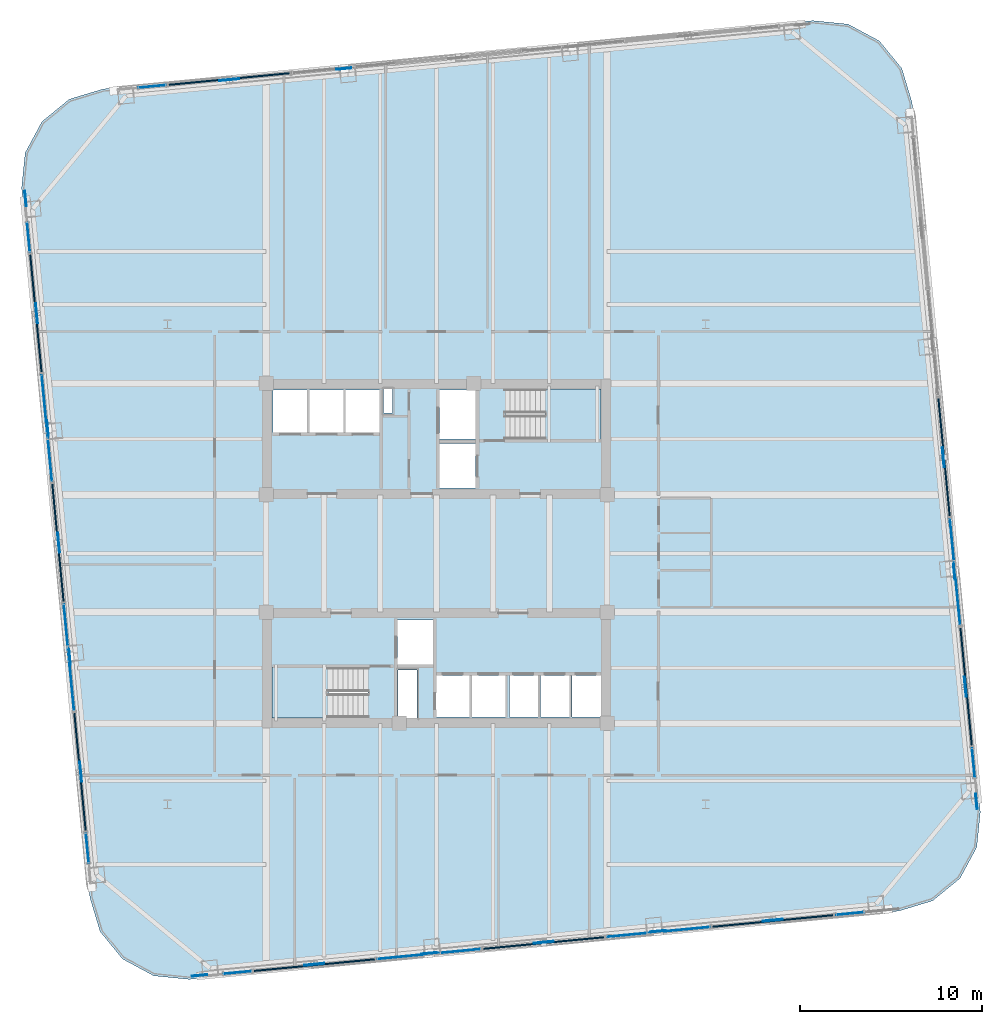
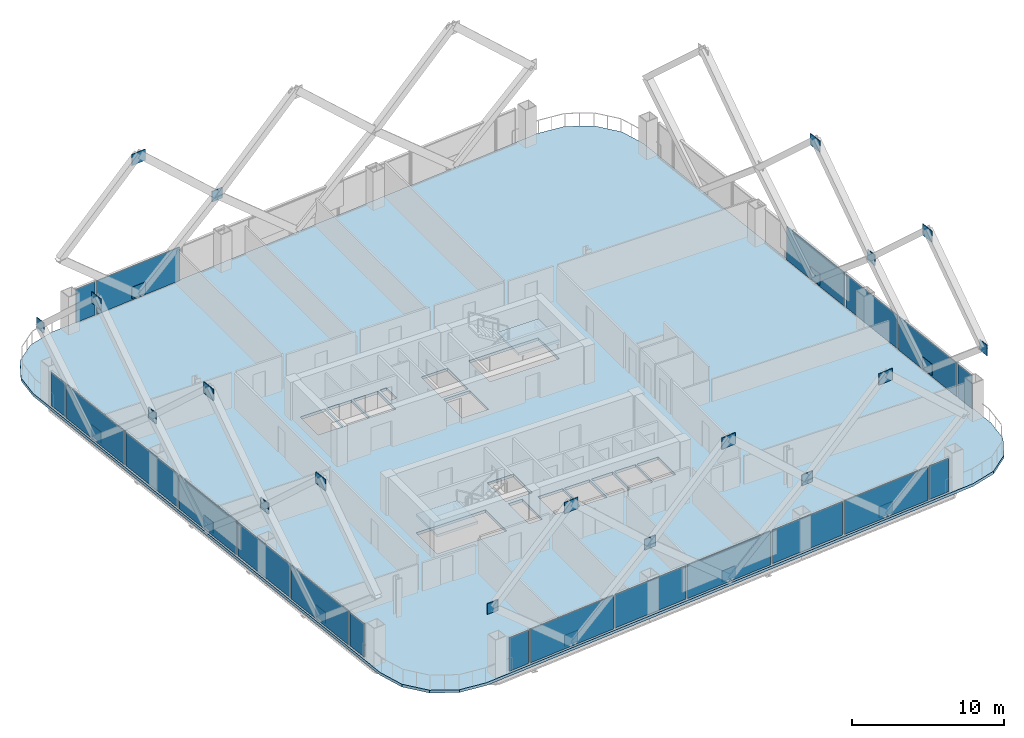
# One storey, part 26 of 32: 47 plates, 3 slabs, 22 elements without a shape of their own.
"""IFC4 building model written with IfcOpenShell, lengths in metres."""

from ifc_helpers import new_model, si_unit, direction, frame, origin, origin_2d, place, context, subcontext, project, spatial, polyline, rectangle, outline, extrude, material, layer, layer_set, type_object, element, aggregate, save


model = new_model("IFC4")

# Units and contexts
model_context = context("Model", 3, precision=1e-05, world=origin(), true_north=direction((0.0, 1.0)))
body_context = subcontext(model_context, "Body", "Model", "MODEL_VIEW")
ifc_project = project(units=[si_unit("LENGTHUNIT", "METRE"), si_unit("AREAUNIT", "SQUARE_METRE"), si_unit("VOLUMEUNIT", "CUBIC_METRE"), si_unit("PLANEANGLEUNIT", "RADIAN"), si_unit("MASSUNIT", "GRAM", prefix="KILO")], contexts=[model_context])

# Site, building, storey
site_placement = place(None, origin())
site = spatial("IfcSite", under=ifc_project, at=site_placement, CompositionType="ELEMENT")
building_placement = place(site_placement, origin())
building = spatial("IfcBuilding", under=site, at=building_placement, Name="Qhalaya Broadcast Tower", CompositionType="ELEMENT")
storey_placement = place(building_placement, frame((0.0, 0.0, 81.64990234375)))
storey = spatial("IfcBuildingStorey", under=building, at=storey_placement, Name="L23", CompositionType="ELEMENT", Elevation=81.64990234375)

# Plates
ifc_material_1 = material(Name="Structural Steel ASTM A572 Grade 50", Category="steel")
ifc_layer_1 = layer(ifc_material_1, 0.054931640625, Name="Structural Steel ASTM A572 Grade 50")
ifc_layer_set_1 = layer_set([ifc_layer_1], Name="Structural Steel ASTM A572 Grade 50")
plate_type_1 = type_object("IfcPlateType", Name="Exoskeleton Diamond Node Gusset Plate NP-01", PredefinedType="USERDEFINED", material=ifc_layer_set_1)
for number, where, z_axis, x_axis, name in (
    (1, (-6.725830078125, -22.00146484375, 0.210205078125), (0.0, 0.0, 1.0), (0.995396198367, 0.09584575252, 0.0), "Exoskeleton Diamond Node B2-S1-BOT"),
    (2, (-6.725830078125, -22.00146484375, 10.85009765625), (0.0, 0.0, 1.0), (0.995396198367, 0.09584575252, 0.0), "Exoskeleton Diamond Node B2-S1-TOP"),
):
    element("IfcPlate", number, at=place(storey_placement, frame(where, z_axis=z_axis, x_axis=x_axis)), inside=storey, type_object=plate_type_1, Name=name, ObjectType="GUSSET_PLATE", PredefinedType="USERDEFINED", context=body_context, shape_type="SweptSolid", body=[
        extrude(rectangle(XDim=1.10009765625, YDim=0.054931640625, at=origin_2d()), origin(), (0.0, 0.0, 1.0), 0.89990234375),
    ])
plate_1_placement = place(storey_placement, frame((-13.030029296875, -22.608642578125, 5.31494140625), z_axis=(0.0, 0.0, 1.0), x_axis=(0.995396198367, 0.09584575252, 0.0)))
element("IfcPlate", 3, at=plate_1_placement, inside=storey, type_object=plate_type_1, Name="Exoskeleton Diamond Node B2-S1-MDL", ObjectType="GUSSET_PLATE", PredefinedType="USERDEFINED", context=body_context, shape_type="SweptSolid", body=[
    extrude(rectangle(XDim=0.85009765625, YDim=0.054931640625, at=origin_2d()), origin(), (0.0, 0.0, 1.0), 0.85009765625),
])
for number, where, z_axis, x_axis, name in (
    (4, (5.882568359375, -20.78759765625, 0.210205078125), (0.0, 0.0, 1.0), (0.995396198367, 0.09584575252, 0.0), "Exoskeleton Diamond Node B2-S2-BOT"),
    (5, (5.882568359375, -20.78759765625, 10.85009765625), (0.0, 0.0, 1.0), (0.995396198367, 0.09584575252, 0.0), "Exoskeleton Diamond Node B2-S2-TOP"),
):
    element("IfcPlate", number, at=place(storey_placement, frame(where, z_axis=z_axis, x_axis=x_axis)), inside=storey, type_object=plate_type_1, Name=name, ObjectType="GUSSET_PLATE", PredefinedType="USERDEFINED", context=body_context, shape_type="SweptSolid", body=[
        extrude(rectangle(XDim=1.10009765625, YDim=0.054931640625, at=origin_2d()), origin(), (0.0, 0.0, 1.0), 0.89990234375),
    ])
plate_2_placement = place(storey_placement, frame((-0.421630859375, -21.39453125, 5.31494140625), z_axis=(0.0, 0.0, 1.0), x_axis=(0.995396198367, 0.09584575252, 0.0)))
element("IfcPlate", 6, at=plate_2_placement, inside=storey, type_object=plate_type_1, Name="Exoskeleton Diamond Node B2-S2-MDL", ObjectType="GUSSET_PLATE", PredefinedType="USERDEFINED", context=body_context, shape_type="SweptSolid", body=[
    extrude(rectangle(XDim=0.85009765625, YDim=0.054931640625, at=origin_2d()), origin(), (0.0, 0.0, 1.0), 0.85009765625),
])
for number, where, z_axis, x_axis, name in (
    (7, (18.49072265625, -19.573486328125, 0.210205078125), (0.0, 0.0, 1.0), (0.995396198367, 0.09584575252, 0.0), "Exoskeleton Diamond Node B2-S3-BOT"),
    (8, (18.49072265625, -19.573486328125, 10.85009765625), (0.0, 0.0, 1.0), (0.995396198367, 0.09584575252, 0.0), "Exoskeleton Diamond Node B2-S3-TOP"),
):
    element("IfcPlate", number, at=place(storey_placement, frame(where, z_axis=z_axis, x_axis=x_axis)), inside=storey, type_object=plate_type_1, Name=name, ObjectType="GUSSET_PLATE", PredefinedType="USERDEFINED", context=body_context, shape_type="SweptSolid", body=[
        extrude(rectangle(XDim=1.10009765625, YDim=0.054931640625, at=origin_2d()), origin(), (0.0, 0.0, 1.0), 0.89990234375),
    ])
plate_3_placement = place(storey_placement, frame((12.1865234375, -20.180419921875, 5.31494140625), z_axis=(0.0, 0.0, 1.0), x_axis=(0.995396198367, 0.09584575252, 0.0)))
element("IfcPlate", 9, at=plate_3_placement, inside=storey, type_object=plate_type_1, Name="Exoskeleton Diamond Node B2-S3-MDL", ObjectType="GUSSET_PLATE", PredefinedType="USERDEFINED", context=body_context, shape_type="SweptSolid", body=[
    extrude(rectangle(XDim=0.85009765625, YDim=0.054931640625, at=origin_2d()), origin(), (0.0, 0.0, 1.0), 0.85009765625),
])
for number, where, z_axis, x_axis, name in (
    (10, (29.08154296875, -6.725830078125, 0.210205078125), (0.0, 0.0, 1.0), (-0.09584575252, 0.995396198367, 0.0), "Exoskeleton Diamond Node B2-E1-BOT"),
    (11, (29.08154296875, -6.725830078125, 10.85009765625), (0.0, 0.0, 1.0), (-0.09584575252, 0.995396198367, 0.0), "Exoskeleton Diamond Node B2-E1-TOP"),
):
    element("IfcPlate", number, at=place(storey_placement, frame(where, z_axis=z_axis, x_axis=x_axis)), inside=storey, type_object=plate_type_1, Name=name, ObjectType="GUSSET_PLATE", PredefinedType="USERDEFINED", context=body_context, shape_type="SweptSolid", body=[
        extrude(rectangle(XDim=1.10009765625, YDim=0.054931640625, at=origin_2d()), origin(), (0.0, 0.0, 1.0), 0.89990234375),
    ])
plate_4_placement = place(storey_placement, frame((29.688720703125, -13.030029296875, 5.31494140625), z_axis=(0.0, 0.0, 1.0), x_axis=(-0.09584575252, 0.995396198367, 0.0)))
element("IfcPlate", 12, at=plate_4_placement, inside=storey, type_object=plate_type_1, Name="Exoskeleton Diamond Node B2-E1-MDL", ObjectType="GUSSET_PLATE", PredefinedType="USERDEFINED", context=body_context, shape_type="SweptSolid", body=[
    extrude(rectangle(XDim=0.85009765625, YDim=0.054931640625, at=origin_2d()), origin(), (0.0, 0.0, 1.0), 0.85009765625),
])
for number, where, z_axis, x_axis, name in (
    (13, (27.867431640625, 5.882568359375, 0.210205078125), (0.0, 0.0, 1.0), (-0.09584575252, 0.995396198367, 0.0), "Exoskeleton Diamond Node B2-E2-BOT"),
    (14, (27.867431640625, 5.882568359375, 10.85009765625), (0.0, 0.0, 1.0), (-0.09584575252, 0.995396198367, 0.0), "Exoskeleton Diamond Node B2-E2-TOP"),
):
    element("IfcPlate", number, at=place(storey_placement, frame(where, z_axis=z_axis, x_axis=x_axis)), inside=storey, type_object=plate_type_1, Name=name, ObjectType="GUSSET_PLATE", PredefinedType="USERDEFINED", context=body_context, shape_type="SweptSolid", body=[
        extrude(rectangle(XDim=1.10009765625, YDim=0.054931640625, at=origin_2d()), origin(), (0.0, 0.0, 1.0), 0.89990234375),
    ])
plate_5_placement = place(storey_placement, frame((28.474609375, -0.421630859375, 5.31494140625), z_axis=(0.0, 0.0, 1.0), x_axis=(-0.09584575252, 0.995396198367, 0.0)))
element("IfcPlate", 15, at=plate_5_placement, inside=storey, type_object=plate_type_1, Name="Exoskeleton Diamond Node B2-E2-MDL", ObjectType="GUSSET_PLATE", PredefinedType="USERDEFINED", context=body_context, shape_type="SweptSolid", body=[
    extrude(rectangle(XDim=0.85009765625, YDim=0.054931640625, at=origin_2d()), origin(), (0.0, 0.0, 1.0), 0.85009765625),
])
for number, where, z_axis, x_axis, name in (
    (16, (-11.410888671875, 26.6533203125, 0.210205078125), (0.0, 0.0, 1.0), (0.995396198367, 0.09584575252, 0.0), "Exoskeleton Diamond Node B2-N3-BOT"),
    (17, (-11.410888671875, 26.6533203125, 10.85009765625), (0.0, 0.0, 1.0), (0.995396198367, 0.09584575252, 0.0), "Exoskeleton Diamond Node B2-N3-TOP"),
):
    element("IfcPlate", number, at=place(storey_placement, frame(where, z_axis=z_axis, x_axis=x_axis)), inside=storey, type_object=plate_type_1, Name=name, ObjectType="GUSSET_PLATE", PredefinedType="USERDEFINED", context=body_context, shape_type="SweptSolid", body=[
        extrude(rectangle(XDim=1.10009765625, YDim=0.054931640625, at=origin_2d()), origin(), (0.0, 0.0, 1.0), 0.89990234375),
    ])
plate_6_placement = place(storey_placement, frame((-5.106689453125, 27.260498046875, 5.31494140625), z_axis=(0.0, 0.0, 1.0), x_axis=(0.995396198367, 0.09584575252, 0.0)))
element("IfcPlate", 18, at=plate_6_placement, inside=storey, type_object=plate_type_1, Name="Exoskeleton Diamond Node B2-N3-MDL", ObjectType="GUSSET_PLATE", PredefinedType="USERDEFINED", context=body_context, shape_type="SweptSolid", body=[
    extrude(rectangle(XDim=0.85009765625, YDim=0.054931640625, at=origin_2d()), origin(), (0.0, 0.0, 1.0), 0.85009765625),
])
for number, where, z_axis, x_axis, name in (
    (19, (-22.00146484375, 13.805908203125, 0.210205078125), (0.0, 0.0, 1.0), (-0.09584575252, 0.995396198367, 0.0), "Exoskeleton Diamond Node B2-W1-BOT"),
    (20, (-22.00146484375, 13.805908203125, 10.85009765625), (0.0, 0.0, 1.0), (-0.09584575252, 0.995396198367, 0.0), "Exoskeleton Diamond Node B2-W1-TOP"),
):
    element("IfcPlate", number, at=place(storey_placement, frame(where, z_axis=z_axis, x_axis=x_axis)), inside=storey, type_object=plate_type_1, Name=name, ObjectType="GUSSET_PLATE", PredefinedType="USERDEFINED", context=body_context, shape_type="SweptSolid", body=[
        extrude(rectangle(XDim=1.10009765625, YDim=0.054931640625, at=origin_2d()), origin(), (0.0, 0.0, 1.0), 0.89990234375),
    ])
plate_7_placement = place(storey_placement, frame((-22.608642578125, 20.110107421875, 5.31494140625), z_axis=(0.0, 0.0, 1.0), x_axis=(-0.09584575252, 0.995396198367, 0.0)))
element("IfcPlate", 21, at=plate_7_placement, inside=storey, type_object=plate_type_1, Name="Exoskeleton Diamond Node B2-W1-MDL", ObjectType="GUSSET_PLATE", PredefinedType="USERDEFINED", context=body_context, shape_type="SweptSolid", body=[
    extrude(rectangle(XDim=0.85009765625, YDim=0.054931640625, at=origin_2d()), origin(), (0.0, 0.0, 1.0), 0.85009765625),
])
for number, where, z_axis, x_axis, name in (
    (22, (-20.78759765625, 1.197509765625, 0.210205078125), (0.0, 0.0, 1.0), (-0.09584575252, 0.995396198367, 0.0), "Exoskeleton Diamond Node B2-W2-BOT"),
    (23, (-20.78759765625, 1.197509765625, 10.85009765625), (0.0, 0.0, 1.0), (-0.09584575252, 0.995396198367, 0.0), "Exoskeleton Diamond Node B2-W2-TOP"),
):
    element("IfcPlate", number, at=place(storey_placement, frame(where, z_axis=z_axis, x_axis=x_axis)), inside=storey, type_object=plate_type_1, Name=name, ObjectType="GUSSET_PLATE", PredefinedType="USERDEFINED", context=body_context, shape_type="SweptSolid", body=[
        extrude(rectangle(XDim=1.10009765625, YDim=0.054931640625, at=origin_2d()), origin(), (0.0, 0.0, 1.0), 0.89990234375),
    ])
plate_8_placement = place(storey_placement, frame((-21.39453125, 7.501708984375, 5.31494140625), z_axis=(0.0, 0.0, 1.0), x_axis=(-0.09584575252, 0.995396198367, 0.0)))
element("IfcPlate", 24, at=plate_8_placement, inside=storey, type_object=plate_type_1, Name="Exoskeleton Diamond Node B2-W2-MDL", ObjectType="GUSSET_PLATE", PredefinedType="USERDEFINED", context=body_context, shape_type="SweptSolid", body=[
    extrude(rectangle(XDim=0.85009765625, YDim=0.054931640625, at=origin_2d()), origin(), (0.0, 0.0, 1.0), 0.85009765625),
])
for number, where, z_axis, x_axis, name in (
    (25, (-19.573486328125, -11.410888671875, 0.210205078125), (0.0, 0.0, 1.0), (-0.09584575252, 0.995396198367, 0.0), "Exoskeleton Diamond Node B2-W3-BOT"),
    (26, (-19.573486328125, -11.410888671875, 10.85009765625), (0.0, 0.0, 1.0), (-0.09584575252, 0.995396198367, 0.0), "Exoskeleton Diamond Node B2-W3-TOP"),
):
    element("IfcPlate", number, at=place(storey_placement, frame(where, z_axis=z_axis, x_axis=x_axis)), inside=storey, type_object=plate_type_1, Name=name, ObjectType="GUSSET_PLATE", PredefinedType="USERDEFINED", context=body_context, shape_type="SweptSolid", body=[
        extrude(rectangle(XDim=1.10009765625, YDim=0.054931640625, at=origin_2d()), origin(), (0.0, 0.0, 1.0), 0.89990234375),
    ])
plate_9_placement = place(storey_placement, frame((-20.180419921875, -5.106689453125, 5.31494140625), z_axis=(0.0, 0.0, 1.0), x_axis=(-0.09584575252, 0.995396198367, 0.0)))
element("IfcPlate", 27, at=plate_9_placement, inside=storey, type_object=plate_type_1, Name="Exoskeleton Diamond Node B2-W3-MDL", ObjectType="GUSSET_PLATE", PredefinedType="USERDEFINED", context=body_context, shape_type="SweptSolid", body=[
    extrude(rectangle(XDim=0.85009765625, YDim=0.054931640625, at=origin_2d()), origin(), (0.0, 0.0, 1.0), 0.85009765625),
])

# Curtain wall, plate
ifc_material_2 = material(Name="Fired Architectural Terracotta", Category="masonry")
ifc_layer_2 = layer(ifc_material_2, 0.219970703125, Name="Fired Architectural Terracotta")
ifc_layer_set_2 = layer_set([ifc_layer_2], Name="Fired Architectural Terracotta")
curtain_wall_type_1 = type_object("IfcCurtainWallType", Name="Block-Cap Unitised Terracotta Spandrel Wall CW-07", PredefinedType="NOTDEFINED", material=ifc_layer_set_2)
curtain_wall_1_placement = place(storey_placement, origin())
curtain_wall_1 = element("IfcCurtainWall", 28, at=curtain_wall_1_placement, inside=storey, type_object=curtain_wall_type_1, Name="L23 Unitised Curtain Wall L23-CW-S2", PredefinedType="NOTDEFINED")
ifc_layer_3 = layer(ifc_material_2, 0.080078125, Name="Fired Architectural Terracotta")
ifc_layer_set_3 = layer_set([ifc_layer_3], Name="Fired Architectural Terracotta")
plate_type_2 = type_object("IfcPlateType", Name="Insulated Terracotta Spandrel Panel TSP-07", PredefinedType="CURTAIN_PANEL", material=ifc_layer_set_3)
plate_10_placement = place(storey_placement, frame((-6.721923828125, -22.041259765625, 0.0751953125), z_axis=(0.0, 0.0, 1.0), x_axis=(0.995395819861, 0.095849683373, 0.0)))
plate_10 = element("IfcPlate", 29, at=plate_10_placement, type_object=plate_type_2, Name="CW-07 panel 1.1", PredefinedType="CURTAIN_PANEL", context=body_context, shape_type="SweptSolid", body=[
    extrude(rectangle(XDim=6.693115234375, YDim=0.080078125, at=origin_2d()), origin(), (0.0, 0.0, 1.0), 2.679931640625),
])
aggregate(curtain_wall_1, [plate_10])

curtain_wall_2_placement = place(storey_placement, origin())
curtain_wall_2 = element("IfcCurtainWall", 30, at=curtain_wall_2_placement, inside=storey, type_object=curtain_wall_type_1, Name="L23 Unitised Curtain Wall L23-CW-S4", PredefinedType="NOTDEFINED")
plate_11_placement = place(storey_placement, frame((5.88623046875, -20.827392578125, 0.0751953125), z_axis=(0.0, 0.0, 1.0), x_axis=(0.995395768185, 0.095850220023, 0.0)))
plate_11 = element("IfcPlate", 31, at=plate_11_placement, type_object=plate_type_2, Name="CW-07 panel 1.1", PredefinedType="CURTAIN_PANEL", context=body_context, shape_type="SweptSolid", body=[
    extrude(rectangle(XDim=6.694091796875, YDim=0.080078125, at=origin_2d()), origin(), (0.0, 0.0, 1.0), 2.679931640625),
])
aggregate(curtain_wall_2, [plate_11])

curtain_wall_3_placement = place(storey_placement, origin())
curtain_wall_3 = element("IfcCurtainWall", 32, at=curtain_wall_3_placement, inside=storey, type_object=curtain_wall_type_1, Name="L23 Unitised Curtain Wall L23-CW-S6", PredefinedType="NOTDEFINED")
plate_12_placement = place(storey_placement, frame((18.494384765625, -19.61328125, 0.0751953125), z_axis=(0.0, 0.0, 1.0), x_axis=(0.995395819861, 0.095849683373, 0.0)))
plate_12 = element("IfcPlate", 33, at=plate_12_placement, type_object=plate_type_2, Name="CW-07 panel 1.1", PredefinedType="CURTAIN_PANEL", context=body_context, shape_type="SweptSolid", body=[
    extrude(rectangle(XDim=6.693115234375, YDim=0.080078125, at=origin_2d()), origin(), (0.0, 0.0, 1.0), 2.679931640625),
])
aggregate(curtain_wall_3, [plate_12])

curtain_wall_4_placement = place(storey_placement, origin())
curtain_wall_4 = element("IfcCurtainWall", 34, at=curtain_wall_4_placement, inside=storey, type_object=curtain_wall_type_1, Name="L23 Unitised Curtain Wall L23-CW-E2", PredefinedType="NOTDEFINED")
plate_13_placement = place(storey_placement, frame((29.121337890625, -6.721923828125, 0.0751953125), z_axis=(0.0, 0.0, 1.0), x_axis=(-0.095856535899, 0.995395159987, 0.0)))
plate_13 = element("IfcPlate", 35, at=plate_13_placement, type_object=plate_type_2, Name="CW-07 panel 1.1", PredefinedType="CURTAIN_PANEL", context=body_context, shape_type="SweptSolid", body=[
    extrude(rectangle(XDim=6.51318359375, YDim=0.080078125, at=origin_2d()), origin(), (0.0, 0.0, 1.0), 2.679931640625),
])
aggregate(curtain_wall_4, [plate_13])

curtain_wall_5_placement = place(storey_placement, origin())
curtain_wall_5 = element("IfcCurtainWall", 36, at=curtain_wall_5_placement, inside=storey, type_object=curtain_wall_type_1, Name="L23 Unitised Curtain Wall L23-CW-E4", PredefinedType="NOTDEFINED")
plate_14_placement = place(storey_placement, frame((27.9072265625, 5.88623046875, 0.0751953125), z_axis=(0.0, 0.0, 1.0), x_axis=(-0.095857417835, 0.995395075056, 0.0)))
plate_14 = element("IfcPlate", 37, at=plate_14_placement, type_object=plate_type_2, Name="CW-07 panel 1.1", PredefinedType="CURTAIN_PANEL", context=body_context, shape_type="SweptSolid", body=[
    extrude(rectangle(XDim=6.511962890625, YDim=0.080078125, at=origin_2d()), origin(), (0.0, 0.0, 1.0), 2.679931640625),
])
aggregate(curtain_wall_5, [plate_14])

curtain_wall_6_placement = place(storey_placement, origin())
curtain_wall_6 = element("IfcCurtainWall", 38, at=curtain_wall_6_placement, inside=storey, type_object=curtain_wall_type_1, Name="L23 Unitised Curtain Wall L23-CW-N6", PredefinedType="NOTDEFINED")
plate_15_placement = place(storey_placement, frame((-11.41455078125, 26.693359375, 0.0751953125), z_axis=(0.0, 0.0, 1.0), x_axis=(-0.995395819861, -0.095849683373, 0.0)))
plate_15 = element("IfcPlate", 39, at=plate_15_placement, type_object=plate_type_2, Name="CW-07 panel 1.1", PredefinedType="CURTAIN_PANEL", context=body_context, shape_type="SweptSolid", body=[
    extrude(rectangle(XDim=6.693115234375, YDim=0.080078125, at=origin_2d()), origin(), (0.0, 0.0, 1.0), 2.679931640625),
])
aggregate(curtain_wall_6, [plate_15])

curtain_wall_7_placement = place(storey_placement, origin())
curtain_wall_7 = element("IfcCurtainWall", 40, at=curtain_wall_7_placement, inside=storey, type_object=curtain_wall_type_1, Name="L23 Unitised Curtain Wall L23-CW-W2", PredefinedType="NOTDEFINED")
plate_16_placement = place(storey_placement, frame((-22.041259765625, 13.802001953125, 0.0751953125), z_axis=(0.0, 0.0, 1.0), x_axis=(0.095856535899, -0.995395159987, 0.0)))
plate_16 = element("IfcPlate", 41, at=plate_16_placement, type_object=plate_type_2, Name="CW-07 panel 1.1", PredefinedType="CURTAIN_PANEL", context=body_context, shape_type="SweptSolid", body=[
    extrude(rectangle(XDim=6.51318359375, YDim=0.080078125, at=origin_2d()), origin(), (0.0, 0.0, 1.0), 2.679931640625),
])
aggregate(curtain_wall_7, [plate_16])

curtain_wall_8_placement = place(storey_placement, origin())
curtain_wall_8 = element("IfcCurtainWall", 42, at=curtain_wall_8_placement, inside=storey, type_object=curtain_wall_type_1, Name="L23 Unitised Curtain Wall L23-CW-W4", PredefinedType="NOTDEFINED")
plate_17_placement = place(storey_placement, frame((-20.827392578125, 1.19384765625, 0.0751953125), z_axis=(0.0, 0.0, 1.0), x_axis=(0.095857417835, -0.995395075056, 0.0)))
plate_17 = element("IfcPlate", 43, at=plate_17_placement, type_object=plate_type_2, Name="CW-07 panel 1.1", PredefinedType="CURTAIN_PANEL", context=body_context, shape_type="SweptSolid", body=[
    extrude(rectangle(XDim=6.511962890625, YDim=0.080078125, at=origin_2d()), origin(), (0.0, 0.0, 1.0), 2.679931640625),
])
aggregate(curtain_wall_8, [plate_17])

curtain_wall_9_placement = place(storey_placement, origin())
curtain_wall_9 = element("IfcCurtainWall", 44, at=curtain_wall_9_placement, inside=storey, type_object=curtain_wall_type_1, Name="L23 Unitised Curtain Wall L23-CW-W6", PredefinedType="NOTDEFINED")
plate_18_placement = place(storey_placement, frame((-19.61328125, -11.41455078125, 0.0751953125), z_axis=(0.0, 0.0, 1.0), x_axis=(0.095857967914, -0.995395022083, 0.0)))
plate_18 = element("IfcPlate", 45, at=plate_18_placement, type_object=plate_type_2, Name="CW-07 panel 1.1", PredefinedType="CURTAIN_PANEL", context=body_context, shape_type="SweptSolid", body=[
    extrude(rectangle(XDim=6.512939453125, YDim=0.080078125, at=origin_2d()), origin(), (0.0, 0.0, 1.0), 2.679931640625),
])
aggregate(curtain_wall_9, [plate_18])

ifc_material_3 = material(Name="Solar-Control Low-E Triple Glazing", Category="glass")
ifc_layer_4 = layer(ifc_material_3, 0.219970703125, Name="Solar-Control Low-E Triple Glazing")
ifc_layer_set_4 = layer_set([ifc_layer_4], Name="Solar-Control Low-E Triple Glazing")
curtain_wall_type_2 = type_object("IfcCurtainWallType", Name="Even-Block 4-Storey Double-Module Curtain Wall CW-03", PredefinedType="NOTDEFINED", material=ifc_layer_set_4)
curtain_wall_10_placement = place(storey_placement, origin())
curtain_wall_10 = element("IfcCurtainWall", 46, at=curtain_wall_10_placement, inside=storey, type_object=curtain_wall_type_2, Name="L23 Unitised Curtain Wall L23-CW-S1", PredefinedType="NOTDEFINED")
ifc_layer_5 = layer(ifc_material_3, 0.035888671875, Name="Solar-Control Low-E Triple Glazing")
ifc_layer_set_5 = layer_set([ifc_layer_5], Name="Solar-Control Low-E Triple Glazing")
plate_type_3 = type_object("IfcPlateType", Name="Solar-Control Curtain Glazing Panel GLP-03", PredefinedType="CURTAIN_PANEL", material=ifc_layer_set_5)
plate_19_placement = place(storey_placement, frame((-10.954833984375, -22.448974609375, 0.0751953125), z_axis=(0.0, 0.0, 1.0), x_axis=(0.995395680125, 0.095851134517, 0.0)))
plate_19 = element("IfcPlate", 47, at=plate_19_placement, type_object=plate_type_3, Name="CW-03 panel 1.1", PredefinedType="CURTAIN_PANEL", context=body_context, shape_type="SweptSolid", body=[
    extrude(rectangle(XDim=1.511962890625, YDim=0.035888671875, at=origin_2d()), origin(), (0.0, 0.0, 1.0), 2.679931640625),
])
aggregate(curtain_wall_10, [plate_19])

curtain_wall_11_placement = place(storey_placement, origin())
curtain_wall_11 = element("IfcCurtainWall", 48, at=curtain_wall_11_placement, inside=storey, type_object=curtain_wall_type_2, Name="L23 Unitised Curtain Wall L23-CW-S3", PredefinedType="NOTDEFINED")
plate_20_placement = place(storey_placement, frame((-0.418212890625, -21.434326171875, 0.0751953125), z_axis=(0.0, 0.0, 1.0), x_axis=(0.995396371729, 0.095843952075, 0.0)))
plate_20 = element("IfcPlate", 49, at=plate_20_placement, type_object=plate_type_3, Name="CW-03 panel 1.1", PredefinedType="CURTAIN_PANEL", context=body_context, shape_type="SweptSolid", body=[
    extrude(rectangle(XDim=5.673095703125, YDim=0.035888671875, at=origin_2d()), origin(), (0.0, 0.0, 1.0), 2.679931640625),
])
aggregate(curtain_wall_11, [plate_20])

curtain_wall_12_placement = place(storey_placement, origin())
curtain_wall_12 = element("IfcCurtainWall", 50, at=curtain_wall_12_placement, inside=storey, type_object=curtain_wall_type_2, Name="L23 Unitised Curtain Wall L23-CW-S5", PredefinedType="NOTDEFINED")
plate_21_placement = place(storey_placement, frame((12.190673828125, -20.22021484375, 0.0751953125), z_axis=(0.0, 0.0, 1.0), x_axis=(0.995396371729, 0.095843952075, 0.0)))
plate_21 = element("IfcPlate", 51, at=plate_21_placement, type_object=plate_type_3, Name="CW-03 panel 1.1", PredefinedType="CURTAIN_PANEL", context=body_context, shape_type="SweptSolid", body=[
    extrude(rectangle(XDim=5.673095703125, YDim=0.035888671875, at=origin_2d()), origin(), (0.0, 0.0, 1.0), 2.679931640625),
])
aggregate(curtain_wall_12, [plate_21])

curtain_wall_13_placement = place(storey_placement, origin())
curtain_wall_13 = element("IfcCurtainWall", 52, at=curtain_wall_13_placement, inside=storey, type_object=curtain_wall_type_2, Name="L23 Unitised Curtain Wall L23-CW-S7", PredefinedType="NOTDEFINED")
plate_22_placement = place(storey_placement, frame((22.727294921875, -19.20556640625, 0.0751953125), z_axis=(0.0, 0.0, 1.0), x_axis=(0.995396232884, 0.095845394047, 0.0)))
plate_22 = element("IfcPlate", 53, at=plate_22_placement, type_object=plate_type_3, Name="CW-03 panel 1.1", PredefinedType="CURTAIN_PANEL", context=body_context, shape_type="SweptSolid", body=[
    extrude(rectangle(XDim=1.511962890625, YDim=0.035888671875, at=origin_2d()), origin(), (0.0, 0.0, 1.0), 2.679931640625),
])
aggregate(curtain_wall_13, [plate_22])

curtain_wall_14_placement = place(storey_placement, origin())
curtain_wall_14 = element("IfcCurtainWall", 54, at=curtain_wall_14_placement, inside=storey, type_object=curtain_wall_type_2, Name="L23 Unitised Curtain Wall L23-CW-E1", PredefinedType="NOTDEFINED")
plate_23_placement = place(storey_placement, frame((29.524658203125, -10.91015625, 0.0751953125), z_axis=(0.0, 0.0, 1.0), x_axis=(-0.095835306252, 0.995397204173, 0.0)))
plate_23 = element("IfcPlate", 55, at=plate_23_placement, type_object=plate_type_3, Name="CW-03 panel 1.1", PredefinedType="CURTAIN_PANEL", context=body_context, shape_type="SweptSolid", body=[
    extrude(rectangle(XDim=1.60205078125, YDim=0.035888671875, at=origin_2d()), origin(), (0.0, 0.0, 1.0), 2.679931640625),
])
aggregate(curtain_wall_14, [plate_23])

curtain_wall_15_placement = place(storey_placement, origin())
curtain_wall_15 = element("IfcCurtainWall", 56, at=curtain_wall_15_placement, inside=storey, type_object=curtain_wall_type_2, Name="L23 Unitised Curtain Wall L23-CW-E3", PredefinedType="NOTDEFINED")
plate_24_placement = place(storey_placement, frame((28.514404296875, -0.41748046875, 0.0751953125), z_axis=(0.0, 0.0, 1.0), x_axis=(-0.095837131698, 0.99539702842, 0.0)))
plate_24 = element("IfcPlate", 57, at=plate_24_placement, type_object=plate_type_3, Name="CW-03 panel 1.1", PredefinedType="CURTAIN_PANEL", context=body_context, shape_type="SweptSolid", body=[
    extrude(rectangle(XDim=5.85400390625, YDim=0.035888671875, at=origin_2d()), origin(), (0.0, 0.0, 1.0), 2.679931640625),
])
aggregate(curtain_wall_15, [plate_24])

curtain_wall_16_placement = place(storey_placement, origin())
curtain_wall_16 = element("IfcCurtainWall", 58, at=curtain_wall_16_placement, inside=storey, type_object=curtain_wall_type_2, Name="L23 Unitised Curtain Wall L23-CW-N7", PredefinedType="NOTDEFINED")
plate_25_placement = place(storey_placement, frame((-15.6474609375, 26.28564453125, 0.0751953125), z_axis=(0.0, 0.0, 1.0), x_axis=(-0.995396232884, -0.095845394047, 0.0)))
plate_25 = element("IfcPlate", 59, at=plate_25_placement, type_object=plate_type_3, Name="CW-03 panel 1.1", PredefinedType="CURTAIN_PANEL", context=body_context, shape_type="SweptSolid", body=[
    extrude(rectangle(XDim=1.511962890625, YDim=0.035888671875, at=origin_2d()), origin(), (0.0, 0.0, 1.0), 2.679931640625),
])
aggregate(curtain_wall_16, [plate_25])

curtain_wall_17_placement = place(storey_placement, origin())
curtain_wall_17 = element("IfcCurtainWall", 60, at=curtain_wall_17_placement, inside=storey, type_object=curtain_wall_type_2, Name="L23 Unitised Curtain Wall L23-CW-W1", PredefinedType="NOTDEFINED")
plate_26_placement = place(storey_placement, frame((-22.444580078125, 17.989990234375, 0.0751953125), z_axis=(0.0, 0.0, 1.0), x_axis=(0.095835306252, -0.995397204173, 0.0)))
plate_26 = element("IfcPlate", 61, at=plate_26_placement, type_object=plate_type_3, Name="CW-03 panel 1.1", PredefinedType="CURTAIN_PANEL", context=body_context, shape_type="SweptSolid", body=[
    extrude(rectangle(XDim=1.60205078125, YDim=0.035888671875, at=origin_2d()), origin(), (0.0, 0.0, 1.0), 2.679931640625),
])
aggregate(curtain_wall_17, [plate_26])

curtain_wall_18_placement = place(storey_placement, origin())
curtain_wall_18 = element("IfcCurtainWall", 62, at=curtain_wall_18_placement, inside=storey, type_object=curtain_wall_type_2, Name="L23 Unitised Curtain Wall L23-CW-W3", PredefinedType="NOTDEFINED")
plate_27_placement = place(storey_placement, frame((-21.434326171875, 7.49755859375, 0.0751953125), z_axis=(0.0, 0.0, 1.0), x_axis=(0.095837131698, -0.99539702842, 0.0)))
plate_27 = element("IfcPlate", 63, at=plate_27_placement, type_object=plate_type_3, Name="CW-03 panel 1.1", PredefinedType="CURTAIN_PANEL", context=body_context, shape_type="SweptSolid", body=[
    extrude(rectangle(XDim=5.85400390625, YDim=0.035888671875, at=origin_2d()), origin(), (0.0, 0.0, 1.0), 2.679931640625),
])
aggregate(curtain_wall_18, [plate_27])

curtain_wall_19_placement = place(storey_placement, origin())
curtain_wall_19 = element("IfcCurtainWall", 64, at=curtain_wall_19_placement, inside=storey, type_object=curtain_wall_type_2, Name="L23 Unitised Curtain Wall L23-CW-W5", PredefinedType="NOTDEFINED")
plate_28_placement = place(storey_placement, frame((-20.22021484375, -5.110107421875, 0.0751953125), z_axis=(0.0, 0.0, 1.0), x_axis=(0.095835542837, -0.995397181395, 0.0)))
plate_28 = element("IfcPlate", 65, at=plate_28_placement, type_object=plate_type_3, Name="CW-03 panel 1.1", PredefinedType="CURTAIN_PANEL", context=body_context, shape_type="SweptSolid", body=[
    extrude(rectangle(XDim=5.85400390625, YDim=0.035888671875, at=origin_2d()), origin(), (0.0, 0.0, 1.0), 2.679931640625),
])
aggregate(curtain_wall_19, [plate_28])

curtain_wall_20_placement = place(storey_placement, origin())
curtain_wall_20 = element("IfcCurtainWall", 66, at=curtain_wall_20_placement, inside=storey, type_object=curtain_wall_type_2, Name="L23 Unitised Curtain Wall L23-CW-W7", PredefinedType="NOTDEFINED")
plate_29_placement = place(storey_placement, frame((-19.2099609375, -15.6025390625, 0.0751953125), z_axis=(0.0, 0.0, 1.0), x_axis=(0.095829861583, -0.995397728362, 0.0)))
plate_29 = element("IfcPlate", 67, at=plate_29_placement, type_object=plate_type_3, Name="CW-03 panel 1.1", PredefinedType="CURTAIN_PANEL", context=body_context, shape_type="SweptSolid", body=[
    extrude(rectangle(XDim=1.60205078125, YDim=0.035888671875, at=origin_2d()), origin(), (0.0, 0.0, 1.0), 2.679931640625),
])
aggregate(curtain_wall_20, [plate_29])

# Stair, slab
ifc_material_4 = material(Name="Concrete C40/50", Category="concrete")
stair_type = type_object("IfcStairType", Name="Protected Dogleg Core Stair 3150", PredefinedType="TWO_STRAIGHT_RUN_STAIR", material=ifc_material_4)
stair_1_placement = place(storey_placement, origin())
stair_1 = element("IfcStair", 68, at=stair_1_placement, inside=storey, type_object=stair_type, Name="L23 North Core Exit Stair ST-1", PredefinedType="TWO_STRAIGHT_RUN_STAIR")
ifc_layer_6 = layer(ifc_material_4, 0.199951171875, Name="Concrete C40/50")
ifc_layer_set_6 = layer_set([ifc_layer_6], Name="Concrete C40/50")
slab_type_1 = type_object("IfcSlabType", Name="Stair & Ramp Half-Landing Slab 200", PredefinedType="LANDING", material=ifc_layer_set_6)
slab_1_placement = place(storey_placement, frame((0.0, 0.0, 1.3251953125)))
slab_1 = element("IfcSlab", 69, at=slab_1_placement, type_object=slab_type_1, Name="ST-1 landing 1", PredefinedType="LANDING", context=body_context, shape_type="SweptSolid", body=[
    extrude(outline(polyline([(5.955078125, 6.8798828125), (9.050048828125, 6.8798828125), (9.050048828125, 9.639892578125), (5.955078125, 9.639892578125), (5.955078125, 6.8798828125)])), origin(), (0.0, 0.0, 1.0), 0.199951171875),
])
aggregate(stair_1, [slab_1])

stair_2_placement = place(storey_placement, origin())
stair_2 = element("IfcStair", 70, at=stair_2_placement, inside=storey, type_object=stair_type, Name="L23 South Core Exit Stair ST-2", PredefinedType="TWO_STRAIGHT_RUN_STAIR")
slab_2_placement = place(storey_placement, frame((0.0, 0.0, 1.3251953125)))
slab_2 = element("IfcSlab", 71, at=slab_2_placement, type_object=slab_type_1, Name="ST-2 landing 1", PredefinedType="LANDING", context=body_context, shape_type="SweptSolid", body=[
    extrude(outline(polyline([(-5.955078125, -5.679931640625), (-9.050048828125, -5.679931640625), (-9.050048828125, -8.43994140625), (-5.955078125, -8.43994140625), (-5.955078125, -5.679931640625)])), origin(), (0.0, 0.0, 1.0), 0.199951171875),
])
aggregate(stair_2, [slab_2])

# Slab
ifc_layer_7 = layer(ifc_material_4, 0.219970703125, Name="Concrete C40/50")
ifc_layer_set_7 = layer_set([ifc_layer_7], Name="Concrete C40/50")
slab_type_2 = type_object("IfcSlabType", Name="Tower Composite Floor Slab 220", PredefinedType="FLOOR", material=ifc_layer_set_7)
slab_3_placement = place(storey_placement, frame((0.0, 0.0, -0.219970703125)))
element("IfcSlab", 72, at=slab_3_placement, inside=storey, type_object=slab_type_2, Name="L23 Main Structural Floor Slab", PredefinedType="FLOOR", context=body_context, shape_type="SweptSolid", body=[
    extrude(outline(polyline([(25.40771484375, -19.068115234375), (27.275634765625, -18.505859375), (28.78662109375, -17.271484375), (29.7099609375, -15.552978515625), (29.9052734375, -13.612060546875), (26.148193359375, 25.40771484375), (25.5859375, 27.275634765625), (24.3515625, 28.78662109375), (22.633056640625, 29.7099609375), (20.69189453125, 29.9052734375), (-18.32763671875, 26.148193359375), (-20.19580078125, 25.5859375), (-21.70654296875, 24.3515625), (-22.6298828125, 22.633056640625), (-22.8251953125, 20.69189453125), (-19.068115234375, -18.32763671875), (-18.505859375, -20.19580078125), (-17.271484375, -21.70654296875), (-15.552978515625, -22.6298828125), (-13.612060546875, -22.8251953125), (25.40771484375, -19.068115234375)]), holes=[polyline([(3.784912109375, 9.639892578125), (9.050048828125, 9.639892578125), (9.050048828125, 6.8798828125), (3.784912109375, 6.8798828125), (3.784912109375, 9.639892578125)]), polyline([(-3.784912109375, -8.43994140625), (-9.050048828125, -8.43994140625), (-9.050048828125, -5.679931640625), (-3.784912109375, -5.679931640625), (-3.784912109375, -8.43994140625)]), polyline([(0.14990234375, 6.64990234375), (2.14990234375, 6.64990234375), (2.14990234375, 4.199951171875), (0.14990234375, 4.199951171875), (0.14990234375, 6.64990234375)]), polyline([(0.14990234375, 9.60009765625), (2.14990234375, 9.60009765625), (2.14990234375, 6.89990234375), (0.14990234375, 6.89990234375), (0.14990234375, 9.60009765625)]), polyline([(-2.14990234375, -3.050048828125), (-0.14990234375, -3.050048828125), (-0.14990234375, -5.5), (-2.14990234375, -5.5), (-2.14990234375, -3.050048828125)]), polyline([(-9.0, 9.60009765625), (-7.1201171875, 9.60009765625), (-7.1201171875, 7.25), (-9.0, 7.25), (-9.0, 9.60009765625)]), polyline([(-7.0, 9.60009765625), (-5.1201171875, 9.60009765625), (-5.1201171875, 7.25), (-7.0, 7.25), (-7.0, 9.60009765625)]), polyline([(-5.0, 9.60009765625), (-3.1201171875, 9.60009765625), (-3.1201171875, 7.25), (-5.0, 7.25), (-5.0, 9.60009765625)]), polyline([(-0.050048828125, -6.10009765625), (1.830078125, -6.10009765625), (1.830078125, -8.39990234375), (-0.050048828125, -8.39990234375), (-0.050048828125, -6.10009765625)]), polyline([(1.949951171875, -6.10009765625), (3.830078125, -6.10009765625), (3.830078125, -8.39990234375), (1.949951171875, -8.39990234375), (1.949951171875, -6.10009765625)]), polyline([(4.0, -6.10009765625), (5.60009765625, -6.10009765625), (5.60009765625, -8.39990234375), (4.0, -8.39990234375), (4.0, -6.10009765625)]), polyline([(5.719970703125, -6.10009765625), (7.320068359375, -6.10009765625), (7.320068359375, -8.39990234375), (5.719970703125, -8.39990234375), (5.719970703125, -6.10009765625)]), polyline([(7.43994140625, -6.10009765625), (9.0400390625, -6.10009765625), (9.0400390625, -8.39990234375), (7.43994140625, -8.39990234375), (7.43994140625, -6.10009765625)]), polyline([(-2.919921875, 9.659912109375), (-2.419921875, 9.659912109375), (-2.419921875, 8.320068359375), (-2.919921875, 8.320068359375), (-2.919921875, 9.659912109375)]), polyline([(-2.1201171875, -5.820068359375), (-1.080078125, -5.820068359375), (-1.080078125, -8.4599609375), (-2.1201171875, -8.4599609375), (-2.1201171875, -5.820068359375)])]), origin(), (0.0, 0.0, 1.0), 0.219970703125),
])

save(model, "model.ifc")
